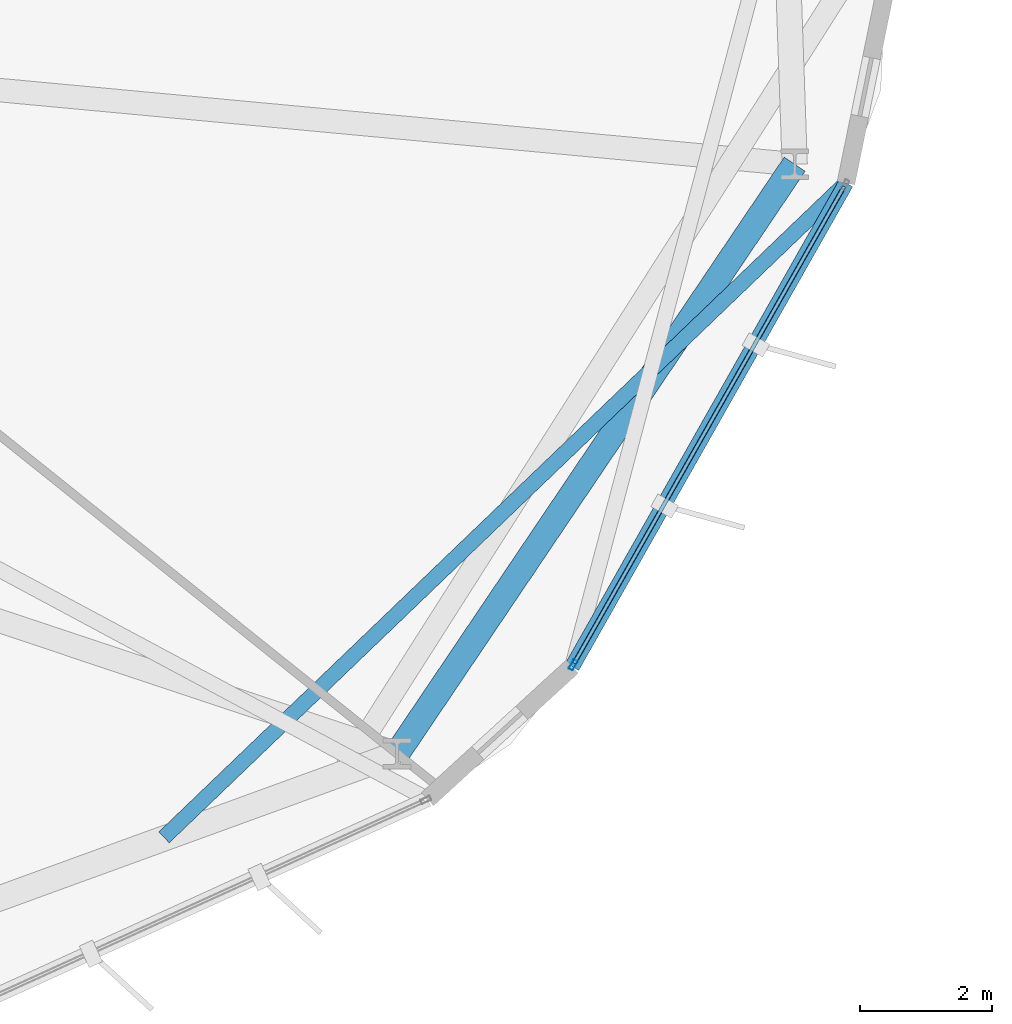
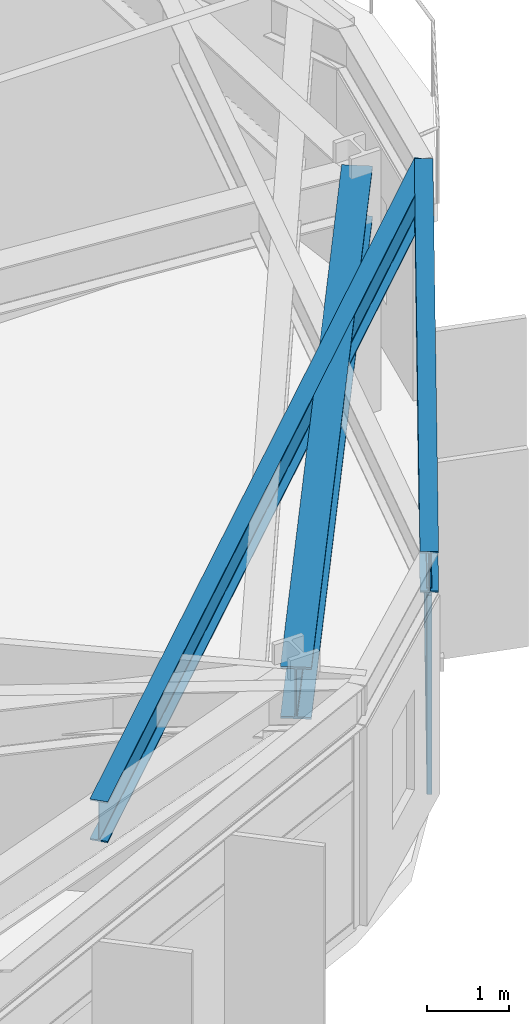
# One storey, part 10 of 23: 4 members, 3 beams, 1 element without a shape of its own.
"""IFC4 building model written with IfcOpenShell, lengths in metres."""

from ifc_helpers import new_model, si_unit, direction, frame, origin, origin_2d, place, context, subcontext, project, spatial, hollow_rectangle, i_section, extrude, material, layer, layer_set, material_profile, profile_set, type_object, element, aggregate, save


model = new_model("IFC4")

# Units and contexts
model_context = context("Model", 3, precision=1e-05, world=origin(), true_north=direction((0.0, 1.0)))
body_context = subcontext(model_context, "Body", "Model", "MODEL_VIEW")
ifc_project = project(units=[si_unit("LENGTHUNIT", "METRE"), si_unit("AREAUNIT", "SQUARE_METRE"), si_unit("VOLUMEUNIT", "CUBIC_METRE"), si_unit("PLANEANGLEUNIT", "RADIAN"), si_unit("MASSUNIT", "GRAM", prefix="KILO")], contexts=[model_context])

# Site, building, storey
site_placement = place(None, origin())
site = spatial("IfcSite", under=ifc_project, at=site_placement, CompositionType="ELEMENT")
building_placement = place(site_placement, origin())
building = spatial("IfcBuilding", under=site, at=building_placement, Name="Soratama Intermodal Tower", CompositionType="ELEMENT")
storey_placement = place(building_placement, frame((0.0, 0.0, 122.5)))
storey = spatial("IfcBuildingStorey", under=building, at=storey_placement, Name="L29", CompositionType="ELEMENT", Elevation=122.5)

# Beams
ifc_material_1 = material(Name="Structural steel ASTM A992 Grade 50", Category="steel")
ifc_material_profile_1 = material_profile(ifc_material_1, i_section(OverallWidth=0.382080078125, OverallDepth=0.779052734375, WebThickness=0.01806640625, FlangeThickness=0.030029296875, FilletRadius=0.01806640625, at=origin_2d()), Name="W30X191")
ifc_profile_set_1 = profile_set([ifc_material_profile_1], Name="Structural steel ASTM A992 Grade 50")
beam_type_1 = type_object("IfcBeamType", Name="BM-RING-W30X191", PredefinedType="BEAM", material=ifc_profile_set_1)
beam_1_placement = place(storey_placement, frame((55.7119140625, 11.2890625, 3.21044921875), z_axis=(0.559249807749, 0.828999187293, 0.0), x_axis=(-0.828999187293, 0.559249807749, 0.0)))
element("IfcBeam", 1, at=beam_1_placement, inside=storey, type_object=beam_type_1, Name="BM-L29-RING-09", PredefinedType="BEAM", context=body_context, shape_type="SweptSolid", body=[
    extrude(i_section(OverallWidth=0.382080078125, OverallDepth=0.779052734375, WebThickness=0.01806640625, FlangeThickness=0.030029296875, FilletRadius=0.01806640625, at=origin_2d()), origin(), (0.0, 0.0, 1.0), 10.75390625),
])
ifc_material_2 = material(Name="Structural steel ASTM A992 Grade 50", Category="steel")
ifc_material_profile_2 = material_profile(ifc_material_2, i_section(OverallWidth=0.22900390625, OverallDepth=0.612060546875, WebThickness=0.011962890625, FlangeThickness=0.01953125, FilletRadius=0.012939453125, at=origin_2d()), Name="W24X84")
ifc_profile_set_2 = profile_set([ifc_material_profile_2], Name="Structural steel ASTM A992 Grade 50")
beam_type_2 = type_object("IfcBeamType", Name="BM-SPN-W24X84", PredefinedType="SPANDREL", material=ifc_profile_set_2)
beam_2_placement = place(storey_placement, frame((58.361083984375, 12.60498046875, 3.2939453125), z_axis=(0.492766308142, 0.87016168932, 0.0), x_axis=(-0.87016168932, 0.492766308142, 0.0)))
element("IfcBeam", 2, at=beam_2_placement, inside=storey, type_object=beam_type_2, Name="BS-L29-F09", PredefinedType="SPANDREL", context=body_context, shape_type="SweptSolid", body=[
    extrude(i_section(OverallWidth=0.22900390625, OverallDepth=0.612060546875, WebThickness=0.011962890625, FlangeThickness=0.01953125, FilletRadius=0.012939453125, at=origin_2d()), origin(), (0.0, 0.0, 1.0), 8.4052734375),
])
ifc_material_3 = material(Name="Structural steel ASTM A992 Grade 50", Category="steel")
ifc_material_profile_3 = material_profile(ifc_material_3, i_section(OverallWidth=0.22900390625, OverallDepth=0.612060546875, WebThickness=0.011962890625, FlangeThickness=0.01953125, FilletRadius=0.012939453125, at=origin_2d()), Name="W24X84")
ifc_profile_set_3 = profile_set([ifc_material_profile_3], Name="Structural steel ASTM A992 Grade 50")
beam_type_3 = type_object("IfcBeamType", Name="BM-TIE-W24X84", PredefinedType="BEAM", material=ifc_profile_set_3)
beam_3_placement = place(storey_placement, frame((52.18798828125, 10.02294921875, 3.2939453125), z_axis=(0.721609132722, 0.692300700254, 0.0), x_axis=(-0.692300700254, 0.721609132722, 0.0)))
element("IfcBeam", 3, at=beam_3_placement, inside=storey, type_object=beam_type_3, Name="BM-L29-TIE1-09", PredefinedType="BEAM", context=body_context, shape_type="SweptSolid", body=[
    extrude(i_section(OverallWidth=0.22900390625, OverallDepth=0.612060546875, WebThickness=0.011962890625, FlangeThickness=0.01953125, FilletRadius=0.012939453125, at=origin_2d()), origin(), (0.0, 0.0, 1.0), 14.29443359375),
])

# Curtain wall, members
ifc_material_4 = material(Name="Double-glazed aluminium curtain wall", Category="aluminium")
ifc_layer = layer(ifc_material_4, 0.159912109375)
ifc_layer_set = layer_set([ifc_layer], Name="Double-glazed aluminium curtain wall")
curtain_wall_type = type_object("IfcCurtainWallType", Name="CW-SYS-3", PredefinedType="NOTDEFINED", material=ifc_layer_set)
curtain_wall_placement = place(storey_placement, origin())
curtain_wall = element("IfcCurtainWall", 4, at=curtain_wall_placement, inside=storey, type_object=curtain_wall_type, Name="L29 Faceted Curtain Wall F09", PredefinedType="NOTDEFINED")
ifc_material_5 = material(Name="Anodised aluminium AA 6063-T6", Category="aluminium")
ifc_material_profile_4 = material_profile(ifc_material_5, hollow_rectangle(XDim=0.070068359375, YDim=0.159912109375, WallThickness=0.0048828125, InnerFilletRadius=0.0048828125, OuterFilletRadius=0.010009765625, at=origin_2d()), Name="CWM160X70X5")
ifc_profile_set_4 = profile_set([ifc_material_profile_4], Name="Anodised aluminium AA 6063-T6")
member_type_1 = type_object("IfcMemberType", Name="MT-CWM-3", PredefinedType="MULLION", material=ifc_profile_set_4)
member_1_placement = place(storey_placement, frame((58.376220703125, 12.630859375, 0.0), z_axis=(0.0, 0.0, 1.0), x_axis=(-0.870183228771, 0.492728270314, 0.0)))
member_1 = element("IfcMember", 5, at=member_1_placement, type_object=member_type_1, Name="CW-3 mullion 1", PredefinedType="MULLION", context=body_context, shape_type="SweptSolid", body=[
    extrude(hollow_rectangle(XDim=0.070068359375, YDim=0.159912109375, WallThickness=0.0048828125, InnerFilletRadius=0.0048828125, OuterFilletRadius=0.010009765625, at=origin_2d()), origin(), (0.0, 0.0, 1.0), 2.97900390625),
])
ifc_material_6 = material(Name="Anodised aluminium AA 6063-T6", Category="aluminium")
ifc_material_profile_5 = material_profile(ifc_material_6, hollow_rectangle(XDim=0.06494140625, YDim=0.14990234375, WallThickness=0.0048828125, InnerFilletRadius=0.0048828125, OuterFilletRadius=0.010009765625, at=origin_2d()), Name="CWT150X65X5")
ifc_profile_set_5 = profile_set([ifc_material_profile_5], Name="Anodised aluminium AA 6063-T6")
member_type_2 = type_object("IfcMemberType", Name="TT-CWT-1", PredefinedType="USERDEFINED", material=ifc_profile_set_5)
member_2_placement = place(storey_placement, frame((58.39111328125, 12.656982421875, 0.030029296875), z_axis=(0.492717378145, 0.870189396209, 0.0), x_axis=(-0.870189396209, 0.492717378145, 0.0)))
member_2 = element("IfcMember", 6, at=member_2_placement, type_object=member_type_2, Name="CW-3 transom 1.1", ObjectType="TRANSOM", PredefinedType="USERDEFINED", context=body_context, shape_type="SweptSolid", body=[
    extrude(hollow_rectangle(XDim=0.06494140625, YDim=0.14990234375, WallThickness=0.0048828125, InnerFilletRadius=0.0048828125, OuterFilletRadius=0.010009765625, at=origin_2d()), origin(), (0.0, 0.0, 1.0), 8.28515625),
])
member_3_placement = place(storey_placement, frame((58.39111328125, 12.656982421875, 2.14990234375), z_axis=(0.492717378145, 0.870189396209, 0.0), x_axis=(-0.870189396209, 0.492717378145, 0.0)))
member_3 = element("IfcMember", 7, at=member_3_placement, type_object=member_type_2, Name="CW-3 transom 1.2", ObjectType="TRANSOM", PredefinedType="USERDEFINED", context=body_context, shape_type="SweptSolid", body=[
    extrude(hollow_rectangle(XDim=0.06494140625, YDim=0.14990234375, WallThickness=0.0048828125, InnerFilletRadius=0.0048828125, OuterFilletRadius=0.010009765625, at=origin_2d()), origin(), (0.0, 0.0, 1.0), 8.28515625),
])
member_4_placement = place(storey_placement, frame((58.39111328125, 12.656982421875, 2.948974609375), z_axis=(0.492717378145, 0.870189396209, 0.0), x_axis=(-0.870189396209, 0.492717378145, 0.0)))
member_4 = element("IfcMember", 8, at=member_4_placement, type_object=member_type_2, Name="CW-3 transom 1.3", ObjectType="TRANSOM", PredefinedType="USERDEFINED", context=body_context, shape_type="SweptSolid", body=[
    extrude(hollow_rectangle(XDim=0.06494140625, YDim=0.14990234375, WallThickness=0.0048828125, InnerFilletRadius=0.0048828125, OuterFilletRadius=0.010009765625, at=origin_2d()), origin(), (0.0, 0.0, 1.0), 8.28515625),
])
aggregate(curtain_wall, [member_1, member_2, member_3, member_4])

save(model, "model.ifc")
